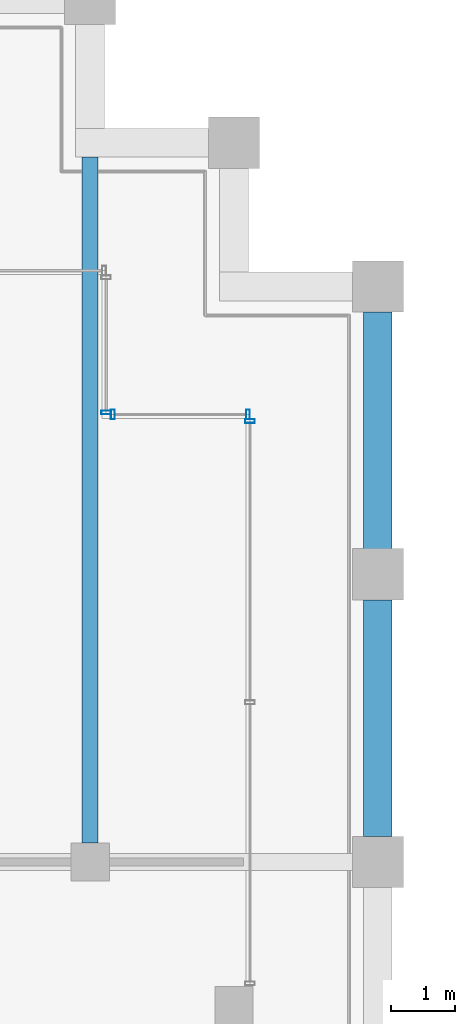
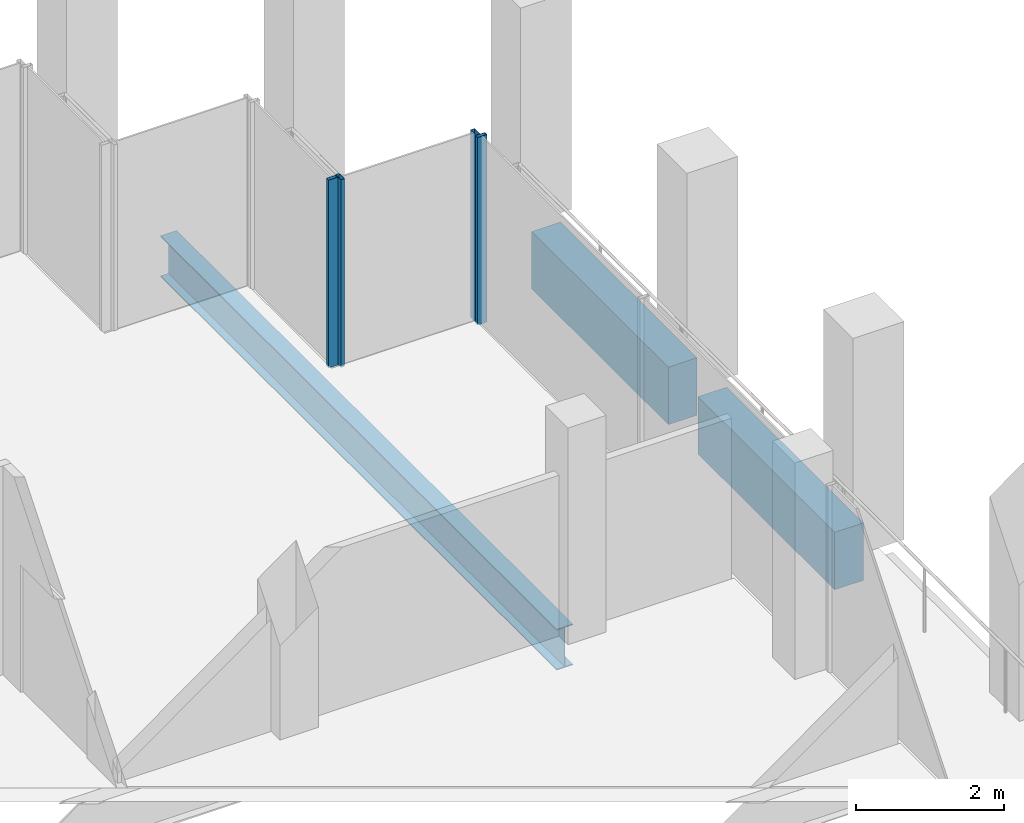
# One storey, part 27 of 62: 4 members, 3 beams, 3 elements without a shape of their own.
"""IFC4 building model written with IfcOpenShell, lengths in metres."""

from ifc_helpers import new_model, si_unit, direction, frame, origin, origin_2d, place, context, subcontext, project, spatial, rectangle, hollow_rectangle, i_section, extrude, material, material_profile, profile_set, type_object, element, aggregate, save


model = new_model("IFC4")

# Units and contexts
model_context = context("Model", 3, precision=1e-05, world=origin(), true_north=direction((0.0, 1.0)))
body_context = subcontext(model_context, "Body", "Model", "MODEL_VIEW")
ifc_project = project(units=[si_unit("LENGTHUNIT", "METRE"), si_unit("AREAUNIT", "SQUARE_METRE"), si_unit("VOLUMEUNIT", "CUBIC_METRE"), si_unit("PLANEANGLEUNIT", "RADIAN"), si_unit("MASSUNIT", "GRAM", prefix="KILO")], contexts=[model_context])

# Site, building, storey
site_placement = place(None, origin())
site = spatial("IfcSite", under=ifc_project, at=site_placement, CompositionType="ELEMENT")
building_placement = place(site_placement, origin())
building = spatial("IfcBuilding", under=site, at=building_placement, Name="Altepetl Exchange Towers", CompositionType="ELEMENT")
storey_placement = place(building_placement, frame((0.0, 0.0, 210.0)))
storey = spatial("IfcBuildingStorey", under=building, at=storey_placement, Name="L53", CompositionType="ELEMENT", Elevation=210.0)

# Beam
ifc_material_1 = material(Name="Steel S355", Category="steel")
ifc_material_profile_1 = material_profile(ifc_material_1, i_section(OverallWidth=0.2529296875, OverallDepth=0.677978515625, WebThickness=0.01171875, FlangeThickness=0.016357421875, at=origin_2d()), Name="W27X84")
ifc_profile_set_1 = profile_set([ifc_material_profile_1], Name="Steel S355")
beam_type_1 = type_object("IfcBeamType", Name="Floor beam W27X84", PredefinedType="BEAM", material=ifc_profile_set_1)
beam_placement = place(storey_placement, frame((67.5, 58.800048828125, -0.489013671875), z_axis=(0.0, 1.0, 0.0), x_axis=(-1.0, 0.0, 0.0)))
element("IfcBeam", 1, at=beam_placement, inside=storey, type_object=beam_type_1, Name="bm:A:L53:005", PredefinedType="BEAM", context=body_context, shape_type="SweptSolid", body=[
    extrude(i_section(OverallWidth=0.2529296875, OverallDepth=0.677978515625, WebThickness=0.01171875, FlangeThickness=0.016357421875, at=origin_2d()), origin(), (0.0, 0.0, 1.0), 10.724853515625),
])

# Curtain wall, member
ifc_material_2 = material(Name="Aluminium 6063-T6 glazing", Category="aluminium")
curtain_wall_type = type_object("IfcCurtainWallType", Name="Loggia glazing system", PredefinedType="NOTDEFINED", material=ifc_material_2)
curtain_wall_1_placement = place(storey_placement, origin())
curtain_wall_1 = element("IfcCurtainWall", 2, at=curtain_wall_1_placement, inside=storey, type_object=curtain_wall_type, Name="CW1 run", PredefinedType="NOTDEFINED")
ifc_material_3 = material(Name="Aluminium 6063-T6", Category="aluminium")
ifc_material_profile_2 = material_profile(ifc_material_3, hollow_rectangle(XDim=0.06005859375, YDim=0.14990234375, WallThickness=0.0029296875, at=origin_2d()), Name="Mullion 60x150 aluminium")
ifc_profile_set_2 = profile_set([ifc_material_profile_2], Name="Aluminium 6063-T6")
member_type = type_object("IfcMemberType", Name="Mullion 60x150 aluminium", PredefinedType="MULLION", material=ifc_profile_set_2)
member_1_placement = place(storey_placement, frame((70.0, 65.39501953125, 0.0), z_axis=(0.0, 0.0, 1.0), x_axis=(0.0, 1.0, 0.0)))
member_1 = element("IfcMember", 3, at=member_1_placement, type_object=member_type, Name="MU1 mullion", PredefinedType="MULLION", context=body_context, shape_type="SweptSolid", body=[
    extrude(hollow_rectangle(XDim=0.06005859375, YDim=0.14990234375, WallThickness=0.0029296875, at=origin_2d()), origin(), (0.0, 0.0, 1.0), 3.10009765625),
])
aggregate(curtain_wall_1, [member_1])

# Curtain wall, members
curtain_wall_2_placement = place(storey_placement, origin())
curtain_wall_2 = element("IfcCurtainWall", 4, at=curtain_wall_2_placement, inside=storey, type_object=curtain_wall_type, Name="CW1 run", PredefinedType="NOTDEFINED")
member_2_placement = place(storey_placement, frame((69.969970703125, 65.5, 0.0), z_axis=(0.0, 0.0, 1.0), x_axis=(-1.0, 0.0, 0.0)))
member_2 = element("IfcMember", 5, at=member_2_placement, type_object=member_type, Name="MU1 mullion", PredefinedType="MULLION", context=body_context, shape_type="SweptSolid", body=[
    extrude(hollow_rectangle(XDim=0.06005859375, YDim=0.14990234375, WallThickness=0.0029296875, at=origin_2d()), origin(), (0.0, 0.0, 1.0), 3.10009765625),
])
member_3_placement = place(storey_placement, frame((67.85498046875, 65.5, 0.0), z_axis=(0.0, 0.0, 1.0), x_axis=(-1.0, 0.0, 0.0)))
member_3 = element("IfcMember", 6, at=member_3_placement, type_object=member_type, Name="MU1 mullion", PredefinedType="MULLION", context=body_context, shape_type="SweptSolid", body=[
    extrude(hollow_rectangle(XDim=0.06005859375, YDim=0.14990234375, WallThickness=0.0029296875, at=origin_2d()), origin(), (0.0, 0.0, 1.0), 3.10009765625),
])
aggregate(curtain_wall_2, [member_2, member_3])

# Curtain wall, member
curtain_wall_3_placement = place(storey_placement, origin())
curtain_wall_3 = element("IfcCurtainWall", 7, at=curtain_wall_3_placement, inside=storey, type_object=curtain_wall_type, Name="CW1 run", PredefinedType="NOTDEFINED")
member_4_placement = place(storey_placement, frame((67.75, 65.530029296875, 0.0), z_axis=(0.0, 0.0, 1.0), x_axis=(0.0, 1.0, 0.0)))
member_4 = element("IfcMember", 8, at=member_4_placement, type_object=member_type, Name="MU1 mullion", PredefinedType="MULLION", context=body_context, shape_type="SweptSolid", body=[
    extrude(hollow_rectangle(XDim=0.06005859375, YDim=0.14990234375, WallThickness=0.0029296875, at=origin_2d()), origin(), (0.0, 0.0, 1.0), 3.10009765625),
])
aggregate(curtain_wall_3, [member_4])

# Beams
ifc_material_4 = material(Name="Concrete C50/60 precast with cantera rosa facing", Category="concrete")
ifc_material_profile_3 = material_profile(ifc_material_4, rectangle(XDim=0.449951171875, YDim=0.949951171875, at=origin_2d()), Name="450 x 950")
ifc_profile_set_3 = profile_set([ifc_material_profile_3], Name="Concrete C50/60 precast with cantera rosa facing")
beam_type_2 = type_object("IfcBeamType", Name="Spandrel beam 450x950 cantera rosa", PredefinedType="SPANDREL", material=ifc_profile_set_3)
for number, where, z_axis, x_axis, name in (
    (9, (72.0, 58.89990234375, -0.625), (0.0, 1.0, 0.0), (-1.0, 0.0, 0.0), "sp:A:L53:018"),
    (10, (72.0, 63.39990234375, -0.625), (0.0, 1.0, 0.0), (-1.0, 0.0, 0.0), "sp:A:L53:019"),
):
    element("IfcBeam", number, at=place(storey_placement, frame(where, z_axis=z_axis, x_axis=x_axis)), inside=storey, type_object=beam_type_2, Name=name, PredefinedType="SPANDREL", context=body_context, shape_type="SweptSolid", body=[
        extrude(rectangle(XDim=0.449951171875, YDim=0.949951171875, at=origin_2d()), origin(), (0.0, 0.0, 1.0), 3.7001953125),
    ])

save(model, "model.ifc")
